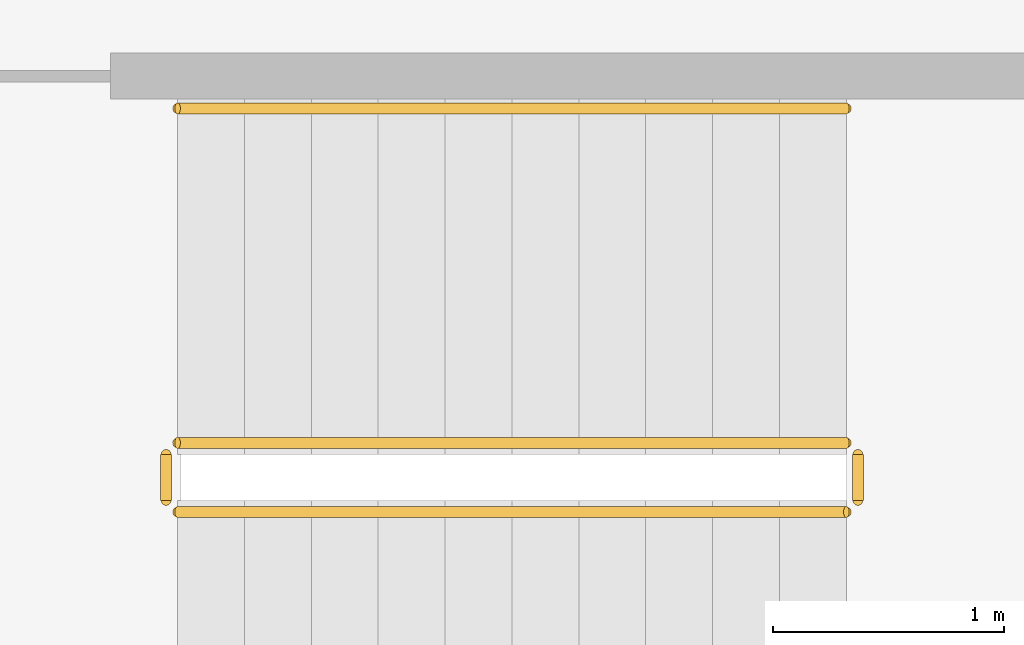
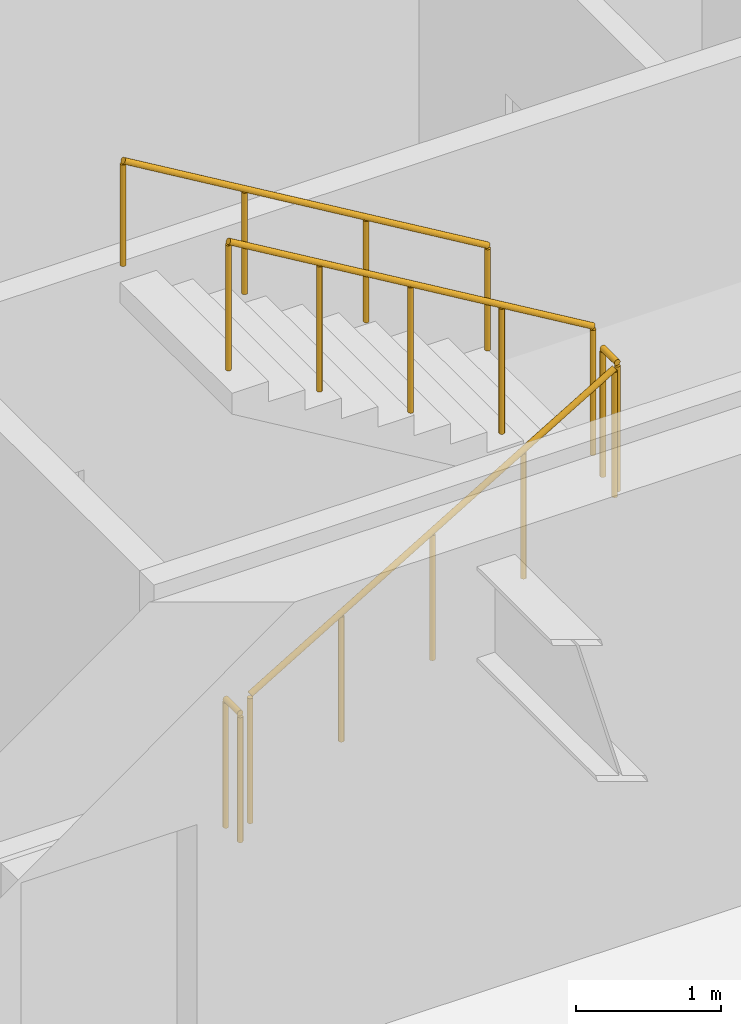
# One storey, part 19 of 20: 5 railings.
"""IFC4 building model written with IfcOpenShell, lengths in metres."""

from ifc_helpers import new_model, si_unit, direction, frame, origin, origin_2d, place, context, subcontext, project, spatial, circle, extrude, material, type_object, element, save


model = new_model("IFC4")

# Units and contexts
model_context = context("Model", 3, precision=1e-05, world=origin(), true_north=direction((0.0, 1.0)))
body_context = subcontext(model_context, "Body", "Model", "MODEL_VIEW")
ifc_project = project(units=[si_unit("LENGTHUNIT", "METRE"), si_unit("AREAUNIT", "SQUARE_METRE"), si_unit("VOLUMEUNIT", "CUBIC_METRE"), si_unit("PLANEANGLEUNIT", "RADIAN"), si_unit("MASSUNIT", "GRAM", prefix="KILO")], contexts=[model_context])

# Site, building, storey
site_placement = place(None, origin())
site = spatial("IfcSite", under=ifc_project, at=site_placement, CompositionType="ELEMENT")
building_placement = place(site_placement, origin())
building = spatial("IfcBuilding", under=site, at=building_placement, Name="Putna Gate Headquarters", CompositionType="ELEMENT")
storey_placement = place(building_placement, frame((0.0, 0.0, 274.60009765625)))
storey = spatial("IfcBuildingStorey", under=building, at=storey_placement, Name="L69", CompositionType="ELEMENT", Elevation=274.60009765625)

# Railings
ifc_material_1 = material(Name="Powder-coated steel stair guardrail", Category="steel")
railing_type_1 = type_object("IfcRailingType", Name="RAIL-STAIR-GUARD-1100", PredefinedType="GUARDRAIL", material=ifc_material_1)
railing_1_placement = place(storey_placement, frame((57.89990234375, 21.10009765625, 0.172607421875)))
element("IfcRailing", 1, at=railing_1_placement, inside=storey, type_object=railing_type_1, Name="L69 ST2 stair guard 1", PredefinedType="GUARDRAIL", context=body_context, shape_type="SweptSolid", body=[
    extrude(circle(Radius=0.02392578125, at=origin_2d()), frame((0.0, 0.0, 1.076171875), z_axis=(0.859160404282, 0.0, 0.51170636083), x_axis=(0.0, 1.0, 0.0)), (0.0, 0.0, 1.0), 3.37548828125),
    extrude(circle(Radius=0.02099609375, at=origin_2d()), origin(), (0.0, 0.0, 1.0), 1.052001953125),
    extrude(circle(Radius=0.02099609375, at=origin_2d()), frame((0.72509765625, 0.0, 0.431884765625)), (0.0, 0.0, 1.0), 1.052001953125),
    extrude(circle(Radius=0.02099609375, at=origin_2d()), frame((1.4501953125, 0.0, 0.86376953125)), (0.0, 0.0, 1.0), 1.052001953125),
    extrude(circle(Radius=0.02099609375, at=origin_2d()), frame((2.175048828125, 0.0, 1.29541015625)), (0.0, 0.0, 1.0), 1.052001953125),
    extrude(circle(Radius=0.02099609375, at=origin_2d()), frame((2.900146484375, 0.0, 1.727294921875)), (0.0, 0.0, 1.0), 1.052001953125),
])
railing_2_placement = place(storey_placement, frame((60.85009765625, 21.14990234375, 1.89990234375)))
element("IfcRailing", 2, at=railing_2_placement, inside=storey, type_object=railing_type_1, Name="L69 ST2 stair guard 2", PredefinedType="GUARDRAIL", context=body_context, shape_type="SweptSolid", body=[
    extrude(circle(Radius=0.02392578125, at=origin_2d()), frame((0.0, 0.0, 1.076171875), z_axis=(0.0, 1.0, 0.0), x_axis=(-1.0, 0.0, 0.0)), (0.0, 0.0, 1.0), 0.2001953125),
    extrude(circle(Radius=0.02099609375, at=origin_2d()), origin(), (0.0, 0.0, 1.0), 1.052001953125),
    extrude(circle(Radius=0.02099609375, at=origin_2d()), frame((0.0, 0.2001953125, 0.0)), (0.0, 0.0, 1.0), 1.052001953125),
])
railing_3_placement = place(storey_placement, frame((60.800048828125, 21.39990234375, 2.072509765625)))
element("IfcRailing", 3, at=railing_3_placement, inside=storey, type_object=railing_type_1, Name="L69 ST2 stair guard 3", PredefinedType="GUARDRAIL", context=body_context, shape_type="SweptSolid", body=[
    extrude(circle(Radius=0.02392578125, at=origin_2d()), frame((0.0, 0.0, 1.076171875), z_axis=(-0.859160404282, 0.0, 0.51170636083), x_axis=(0.0, -1.0, 0.0)), (0.0, 0.0, 1.0), 3.37548828125),
    extrude(circle(Radius=0.02099609375, at=origin_2d()), origin(), (0.0, 0.0, 1.0), 1.052001953125),
    extrude(circle(Radius=0.02099609375, at=origin_2d()), frame((-0.72509765625, 0.0, 0.431884765625)), (0.0, 0.0, 1.0), 1.052001953125),
    extrude(circle(Radius=0.02099609375, at=origin_2d()), frame((-1.4501953125, 0.0, 0.86376953125)), (0.0, 0.0, 1.0), 1.052001953125),
    extrude(circle(Radius=0.02099609375, at=origin_2d()), frame((-2.175048828125, 0.0, 1.29541015625)), (0.0, 0.0, 1.0), 1.052001953125),
    extrude(circle(Radius=0.02099609375, at=origin_2d()), frame((-2.900146484375, 0.0, 1.727294921875)), (0.0, 0.0, 1.0), 1.052001953125),
])
railing_4_placement = place(storey_placement, frame((57.85009765625, 21.14990234375, 0.0)))
element("IfcRailing", 4, at=railing_4_placement, inside=storey, type_object=railing_type_1, Name="L69 ST2 stair guard 4", PredefinedType="GUARDRAIL", context=body_context, shape_type="SweptSolid", body=[
    extrude(circle(Radius=0.02392578125, at=origin_2d()), frame((0.0, 0.0, 1.076171875), z_axis=(0.0, 1.0, 0.0), x_axis=(-1.0, 0.0, 0.0)), (0.0, 0.0, 1.0), 0.2001953125),
    extrude(circle(Radius=0.02099609375, at=origin_2d()), origin(), (0.0, 0.0, 1.0), 1.052001953125),
    extrude(circle(Radius=0.02099609375, at=origin_2d()), frame((0.0, 0.2001953125, 0.0)), (0.0, 0.0, 1.0), 1.052001953125),
])
ifc_material_2 = material(Name="Brushed stainless steel handrail", Category="steel")
railing_type_2 = type_object("IfcRailingType", Name="RAIL-STAIR-HAND-900", PredefinedType="HANDRAIL", material=ifc_material_2)
railing_5_placement = place(storey_placement, frame((60.800048828125, 22.85009765625, 2.072509765625)))
element("IfcRailing", 5, at=railing_5_placement, inside=storey, type_object=railing_type_2, Name="L69 ST2 stair handrail 2", PredefinedType="HANDRAIL", context=body_context, shape_type="SweptSolid", body=[
    extrude(circle(Radius=0.02392578125, at=origin_2d()), frame((0.0, 0.0, 0.8759765625), z_axis=(-0.859160404282, 0.0, 0.51170636083), x_axis=(0.0, -1.0, 0.0)), (0.0, 0.0, 1.0), 3.37548828125),
    extrude(circle(Radius=0.02099609375, at=origin_2d()), origin(), (0.0, 0.0, 1.0), 0.851806640625),
    extrude(circle(Radius=0.02099609375, at=origin_2d()), frame((-0.966796875, 0.0, 0.57568359375)), (0.0, 0.0, 1.0), 0.851806640625),
    extrude(circle(Radius=0.02099609375, at=origin_2d()), frame((-1.933349609375, 0.0, 1.151611328125)), (0.0, 0.0, 1.0), 0.851806640625),
    extrude(circle(Radius=0.02099609375, at=origin_2d()), frame((-2.900146484375, 0.0, 1.727294921875)), (0.0, 0.0, 1.0), 0.851806640625),
])

save(model, "model.ifc")
